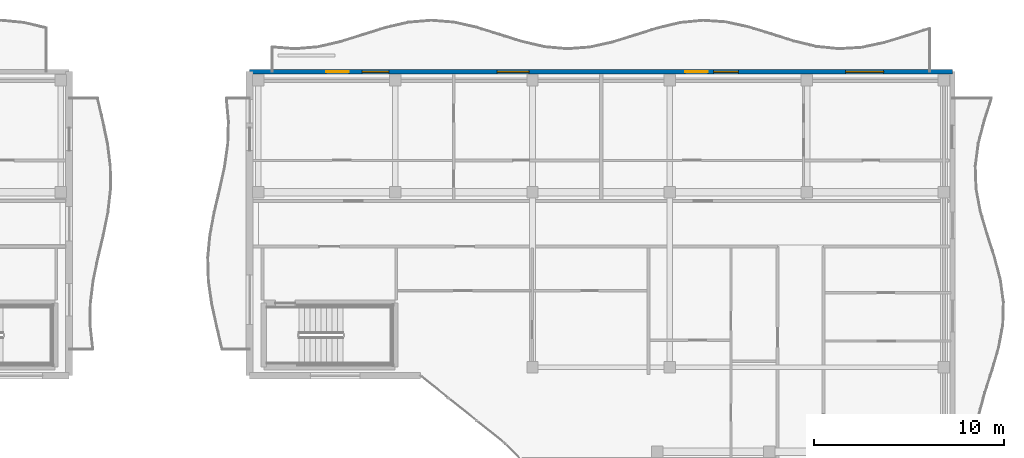
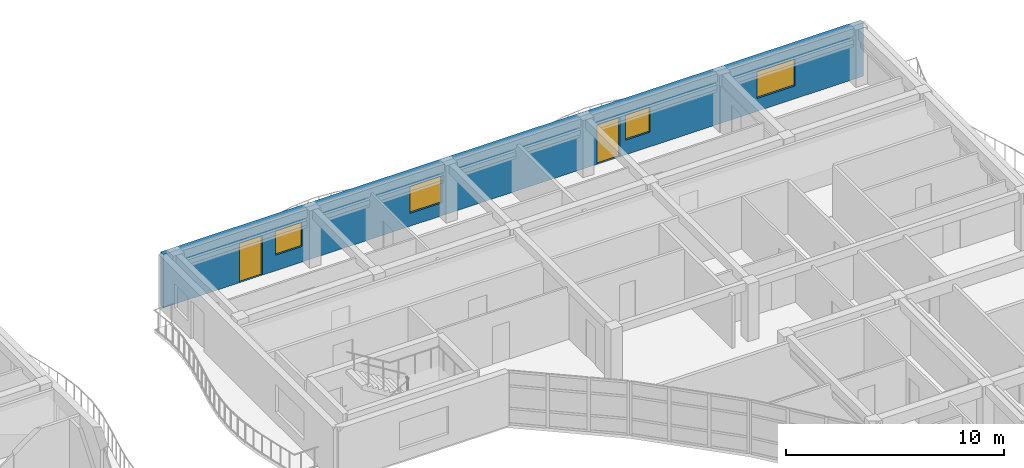
# One storey, part 54 of 79: 4 windows, 2 doors, 1 wall, 6 openings.
"""IFC4 building model written with IfcOpenShell, lengths in metres."""

from ifc_helpers import new_model, si_unit, direction, frame, frame_2d, origin, place, context, subcontext, project, spatial, rectangle, extrude, material, layer, layer_set, type_object, element, fill, save


model = new_model("IFC4")

# Units and contexts
model_context = context("Model", 3, precision=1e-05, world=origin(), true_north=direction((0.0, 1.0)))
body_context = subcontext(model_context, "Body", "Model", "MODEL_VIEW")
ifc_project = project(units=[si_unit("LENGTHUNIT", "METRE"), si_unit("AREAUNIT", "SQUARE_METRE"), si_unit("VOLUMEUNIT", "CUBIC_METRE"), si_unit("PLANEANGLEUNIT", "RADIAN"), si_unit("MASSUNIT", "GRAM", prefix="KILO")], contexts=[model_context])

# Site, building, storey
site_placement = place(None, origin())
site = spatial("IfcSite", under=ifc_project, at=site_placement, CompositionType="ELEMENT")
building_placement = place(site_placement, origin())
building = spatial("IfcBuilding", under=site, at=building_placement, Name="Keldmere Railside Commons", CompositionType="ELEMENT")
storey_placement = place(building_placement, frame((0.0, 0.0, 10.56005859375)))
storey = spatial("IfcBuildingStorey", under=building, at=storey_placement, Name="L03", CompositionType="ELEMENT", Elevation=10.56005859375)

# Wall, openings, doors, windows
ifc_material_1 = material(Name="Terracotta Brick Masonry", Category="masonry")
ifc_layer = layer(ifc_material_1, 0.260009765625, Name="Terracotta Cavity Wall 260")
ifc_layer_set = layer_set([ifc_layer], Name="Terracotta Brick Masonry")
wall_type = type_object("IfcWallType", Name="Terracotta Cavity Wall 260", PredefinedType="SOLIDWALL", material=ifc_layer_set)
wall_placement = place(storey_placement, frame((147.0, 116.0, 0.0), z_axis=(0.0, 0.0, 1.0), x_axis=(1.0, 0.0, 0.0)))
wall = element("IfcWall", 1, at=wall_placement, inside=storey, type_object=wall_type, Name="EW-1 EXTA-L03-0898", PredefinedType="SOLIDWALL", context=body_context, shape_type="SweptSolid", body=[
    extrude(rectangle(XDim=37.0, YDim=0.260009765625, at=frame_2d((18.5, 0.0))), origin(), (0.0, 0.0, 1.0), 2.97998046875),
])
opening_1_placement = place(wall_placement, frame((4.02490234375, 0.0, 0.0)))
opening_1 = element("IfcOpeningElement", 2, at=opening_1_placement, cuts=wall, Name="Opening BD-01", PredefinedType="OPENING", context=body_context, shape_type="SweptSolid", body=[
    extrude(rectangle(XDim=1.199951171875, YDim=2.199951171875, at=frame_2d((0.60009765625, 1.10009765625))), frame((0.0, 0.139892578125, 0.0), z_axis=(0.0, -1.0, 0.0), x_axis=(1.0, 0.0, 0.0)), (0.0, 0.0, 1.0), 0.280029296875),
])
opening_2_placement = place(wall_placement, frame((5.925048828125, 0.0, 0.8701171875)))
opening_2 = element("IfcOpeningElement", 3, at=opening_2_placement, cuts=wall, Name="Opening WN-08", PredefinedType="OPENING", context=body_context, shape_type="SweptSolid", body=[
    extrude(rectangle(XDim=1.39990234375, YDim=1.35009765625, at=frame_2d((0.699951171875, 0.675048828125))), frame((0.0, 0.139892578125, 0.0), z_axis=(0.0, -1.0, 0.0), x_axis=(1.0, 0.0, 0.0)), (0.0, 0.0, 1.0), 0.280029296875),
])
opening_3_placement = place(wall_placement, frame((13.034912109375, 0.0, 0.719970703125)))
opening_3 = element("IfcOpeningElement", 4, at=opening_3_placement, cuts=wall, Name="Opening WN-40", PredefinedType="OPENING", context=body_context, shape_type="SweptSolid", body=[
    extrude(rectangle(XDim=1.679931640625, YDim=1.5, at=frame_2d((0.83984375, 0.75))), frame((0.0, 0.139892578125, 0.0), z_axis=(0.0, -1.0, 0.0), x_axis=(1.0, 0.0, 0.0)), (0.0, 0.0, 1.0), 0.280029296875),
])
opening_4_placement = place(wall_placement, frame((22.925048828125, 0.0, 0.0)))
opening_4 = element("IfcOpeningElement", 5, at=opening_4_placement, cuts=wall, Name="Opening BD-01", PredefinedType="OPENING", context=body_context, shape_type="SweptSolid", body=[
    extrude(rectangle(XDim=1.199951171875, YDim=2.199951171875, at=frame_2d((0.60009765625, 1.10009765625))), frame((0.0, 0.139892578125, 0.0), z_axis=(0.0, -1.0, 0.0), x_axis=(1.0, 0.0, 0.0)), (0.0, 0.0, 1.0), 0.280029296875),
])
opening_5_placement = place(wall_placement, frame((24.425048828125, 0.0, 0.820068359375)))
opening_5 = element("IfcOpeningElement", 6, at=opening_5_placement, cuts=wall, Name="Opening WN-10", PredefinedType="OPENING", context=body_context, shape_type="SweptSolid", body=[
    extrude(rectangle(XDim=1.300048828125, YDim=1.39990234375, at=frame_2d((0.64990234375, 0.699951171875))), frame((0.0, 0.139892578125, 0.0), z_axis=(0.0, -1.0, 0.0), x_axis=(1.0, 0.0, 0.0)), (0.0, 0.0, 1.0), 0.280029296875),
])
opening_6_placement = place(wall_placement, frame((31.375, 0.0, 0.719970703125)))
opening_6 = element("IfcOpeningElement", 7, at=opening_6_placement, cuts=wall, Name="Opening WN-02", PredefinedType="OPENING", context=body_context, shape_type="SweptSolid", body=[
    extrude(rectangle(XDim=2.0, YDim=1.5, at=frame_2d((1.0, 0.75))), frame((0.0, 0.139892578125, 0.0), z_axis=(0.0, -1.0, 0.0), x_axis=(1.0, 0.0, 0.0)), (0.0, 0.0, 1.0), 0.280029296875),
])
ifc_material_2 = material(Name="Thermally Broken Aluminium", Category="aluminium")
door_type = type_object("IfcDoorType", Name="Apartment Living Wave-Balcony Glazed Door 1200x2200", OperationType="NOTDEFINED", PredefinedType="DOOR", material=ifc_material_2)
door_1_placement = place(opening_1_placement, origin())
door_1 = element("IfcDoor", 8, at=door_1_placement, inside=storey, type_object=door_type, Name="BD-01 DR-L03-0234", OperationType="SINGLE_SWING_RIGHT", OverallHeight=2.199951171875, OverallWidth=1.199951171875, PredefinedType="DOOR", context=body_context, shape_type="SweptSolid", body=[
    extrude(rectangle(XDim=1.199951171875, YDim=2.199951171875, at=frame_2d((0.60009765625, 1.10009765625))), frame((0.0, 0.02490234375, 0.0), z_axis=(0.0, -1.0, 0.0), x_axis=(1.0, 0.0, 0.0)), (0.0, 0.0, 1.0), 0.050048828125),
])
fill(opening_1, door_1)
door_2_placement = place(opening_4_placement, origin())
door_2 = element("IfcDoor", 9, at=door_2_placement, inside=storey, type_object=door_type, Name="BD-01 DR-L03-0235", OperationType="SINGLE_SWING_LEFT", OverallHeight=2.199951171875, OverallWidth=1.199951171875, PredefinedType="DOOR", context=body_context, shape_type="SweptSolid", body=[
    extrude(rectangle(XDim=1.199951171875, YDim=2.199951171875, at=frame_2d((0.60009765625, 1.10009765625))), frame((0.0, 0.02490234375, 0.0), z_axis=(0.0, -1.0, 0.0), x_axis=(1.0, 0.0, 0.0)), (0.0, 0.0, 1.0), 0.050048828125),
])
fill(opening_4, door_2)
ifc_material_3 = material(Name="Low-E Insulated Double Glazing", Category="glass")
window_type_1 = type_object("IfcWindowType", Name="Living Room South Casement Window 2000x1500", PartitioningType="SINGLE_PANEL", PredefinedType="WINDOW", material=ifc_material_3)
window_1_placement = place(opening_6_placement, origin())
window_1 = element("IfcWindow", 10, at=window_1_placement, inside=storey, type_object=window_type_1, Name="WN-02 WIN-L03-0635", OverallHeight=1.5, OverallWidth=2.0, PartitioningType="SINGLE_PANEL", PredefinedType="WINDOW", context=body_context, shape_type="SweptSolid", body=[
    extrude(rectangle(XDim=2.0, YDim=1.5, at=frame_2d((1.0, 0.75))), frame((0.0, 0.030029296875, 0.0), z_axis=(0.0, -1.0, 0.0), x_axis=(1.0, 0.0, 0.0)), (0.0, 0.0, 1.0), 0.06005859375),
])
fill(opening_6, window_1)
window_type_2 = type_object("IfcWindowType", Name="Primary Bedroom East/West Window 1400x1350", PartitioningType="SINGLE_PANEL", PredefinedType="WINDOW", material=ifc_material_3)
window_2_placement = place(opening_2_placement, origin())
window_2 = element("IfcWindow", 11, at=window_2_placement, inside=storey, type_object=window_type_2, Name="WN-08 WIN-L03-0632", OverallHeight=1.35009765625, OverallWidth=1.39990234375, PartitioningType="SINGLE_PANEL", PredefinedType="WINDOW", context=body_context, shape_type="SweptSolid", body=[
    extrude(rectangle(XDim=1.39990234375, YDim=1.35009765625, at=frame_2d((0.699951171875, 0.675048828125))), frame((0.0, 0.030029296875, 0.0), z_axis=(0.0, -1.0, 0.0), x_axis=(1.0, 0.0, 0.0)), (0.0, 0.0, 1.0), 0.06005859375),
])
fill(opening_2, window_2)
window_type_3 = type_object("IfcWindowType", Name="Secondary Bedroom Court Window 1300x1400", PartitioningType="SINGLE_PANEL", PredefinedType="WINDOW", material=ifc_material_3)
window_3_placement = place(opening_5_placement, origin())
window_3 = element("IfcWindow", 12, at=window_3_placement, inside=storey, type_object=window_type_3, Name="WN-10 WIN-L03-0634", OverallHeight=1.39990234375, OverallWidth=1.300048828125, PartitioningType="SINGLE_PANEL", PredefinedType="WINDOW", context=body_context, shape_type="SweptSolid", body=[
    extrude(rectangle(XDim=1.300048828125, YDim=1.39990234375, at=frame_2d((0.64990234375, 0.699951171875))), frame((0.0, 0.030029296875, 0.0), z_axis=(0.0, -1.0, 0.0), x_axis=(1.0, 0.0, 0.0)), (0.0, 0.0, 1.0), 0.06005859375),
])
fill(opening_5, window_3)
window_type_4 = type_object("IfcWindowType", Name="Two-Bed Dining Casement Window 1680x1500", PartitioningType="SINGLE_PANEL", PredefinedType="WINDOW", material=ifc_material_3)
window_4_placement = place(opening_3_placement, origin())
window_4 = element("IfcWindow", 13, at=window_4_placement, inside=storey, type_object=window_type_4, Name="WN-40 WIN-L03-0633", OverallHeight=1.5, OverallWidth=1.679931640625, PartitioningType="SINGLE_PANEL", PredefinedType="WINDOW", context=body_context, shape_type="SweptSolid", body=[
    extrude(rectangle(XDim=1.679931640625, YDim=1.5, at=frame_2d((0.83984375, 0.75))), frame((0.0, 0.030029296875, 0.0), z_axis=(0.0, -1.0, 0.0), x_axis=(1.0, 0.0, 0.0)), (0.0, 0.0, 1.0), 0.06005859375),
])
fill(opening_3, window_4)

save(model, "model.ifc")
